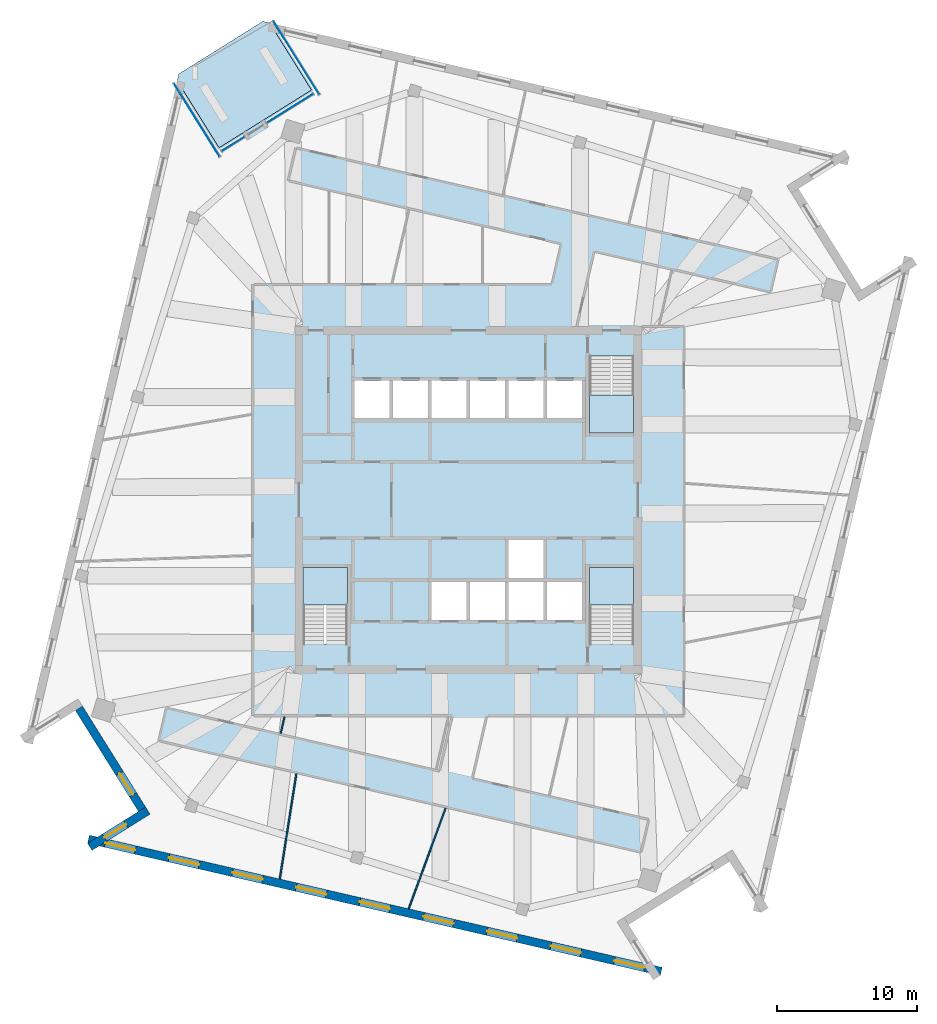
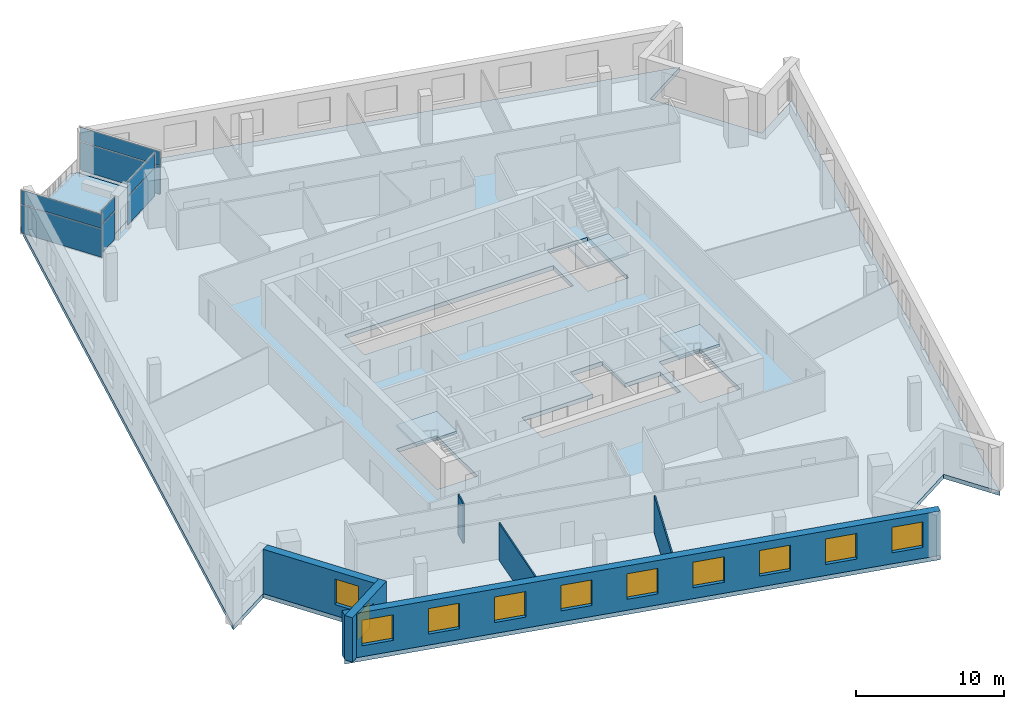
# One storey, part 5 of 14: 11 windows, 8 plates, 6 walls, 5 slabs, 11 openings, 7 elements without a shape of their own.
"""IFC4 building model written with IfcOpenShell, lengths in metres."""

from ifc_helpers import new_model, si_unit, direction, frame, frame_2d, origin, origin_2d, place, context, subcontext, project, spatial, polyline, rectangle, outline, extrude, material, layer, layer_set, type_object, element, fill, aggregate, save


model = new_model("IFC4")

# Units and contexts
model_context = context("Model", 3, precision=1e-05, world=origin(), true_north=direction((0.0, 1.0)))
body_context = subcontext(model_context, "Body", "Model", "MODEL_VIEW")
ifc_project = project(units=[si_unit("LENGTHUNIT", "METRE"), si_unit("AREAUNIT", "SQUARE_METRE"), si_unit("VOLUMEUNIT", "CUBIC_METRE"), si_unit("PLANEANGLEUNIT", "RADIAN"), si_unit("MASSUNIT", "GRAM", prefix="KILO")], contexts=[model_context])

# Site, building, storey
site_placement = place(None, origin())
site = spatial("IfcSite", under=ifc_project, at=site_placement, CompositionType="ELEMENT")
building_placement = place(site_placement, origin())
building = spatial("IfcBuilding", under=site, at=building_placement, Name="Dilmun Exchange Tower", CompositionType="ELEMENT")
storey_placement = place(building_placement, frame((0.0, 0.0, 336.5)))
storey = spatial("IfcBuildingStorey", under=building, at=storey_placement, Name="L80", CompositionType="ELEMENT", Elevation=336.5)

# Stair, slab
ifc_material_1 = material(Name="Concrete C40/50", Category="concrete")
stair_type = type_object("IfcStairType", Name="Exit stair 1500 half-turn", PredefinedType="HALF_TURN_STAIR", material=ifc_material_1)
stair_1_placement = place(storey_placement, origin())
stair_1 = element("IfcStair", 1, at=stair_1_placement, inside=storey, type_object=stair_type, Name="L80 Protected exit stair ST1", PredefinedType="HALF_TURN_STAIR")
ifc_layer_1 = layer(ifc_material_1, 0.199951171875)
ifc_layer_set_1 = layer_set([ifc_layer_1], Name="Concrete C40/50")
slab_type_1 = type_object("IfcSlabType", Name="Exit stair landing 200", PredefinedType="LANDING", material=ifc_layer_set_1)
slab_1_placement = place(storey_placement, frame((0.0, 0.0, 1.800048828125)))
slab_1 = element("IfcSlab", 2, at=slab_1_placement, type_object=slab_type_1, Name="ST1 landing 1", PredefinedType="LANDING", context=body_context, shape_type="SweptSolid", body=[
    extrude(outline(polyline([(8.64990234375, 7.5), (8.64990234375, 4.800048828125), (11.800048828125, 4.800048828125), (11.800048828125, 7.5), (8.64990234375, 7.5)])), origin(), (0.0, 0.0, 1.0), 0.199951171875),
])
aggregate(stair_1, [slab_1])

stair_2_placement = place(storey_placement, origin())
stair_2 = element("IfcStair", 3, at=stair_2_placement, inside=storey, type_object=stair_type, Name="L80 Protected exit stair ST2", PredefinedType="HALF_TURN_STAIR")
slab_2_placement = place(storey_placement, frame((0.0, 0.0, 1.800048828125)))
slab_2 = element("IfcSlab", 4, at=slab_2_placement, type_object=slab_type_1, Name="ST2 landing 1", PredefinedType="LANDING", context=body_context, shape_type="SweptSolid", body=[
    extrude(outline(polyline([(-8.64990234375, -7.5), (-8.64990234375, -4.800048828125), (-11.800048828125, -4.800048828125), (-11.800048828125, -7.5), (-8.64990234375, -7.5)])), origin(), (0.0, 0.0, 1.0), 0.199951171875),
])
aggregate(stair_2, [slab_2])

stair_3_placement = place(storey_placement, origin())
stair_3 = element("IfcStair", 5, at=stair_3_placement, inside=storey, type_object=stair_type, Name="L80 Protected exit stair ST3", PredefinedType="HALF_TURN_STAIR")
slab_3_placement = place(storey_placement, frame((0.0, 0.0, 1.800048828125)))
slab_3 = element("IfcSlab", 6, at=slab_3_placement, type_object=slab_type_1, Name="ST3 landing 1", PredefinedType="LANDING", context=body_context, shape_type="SweptSolid", body=[
    extrude(outline(polyline([(11.800048828125, -7.5), (11.800048828125, -4.800048828125), (8.64990234375, -4.800048828125), (8.64990234375, -7.5), (11.800048828125, -7.5)])), origin(), (0.0, 0.0, 1.0), 0.199951171875),
])
aggregate(stair_3, [slab_3])

# Curtain wall, plates
ifc_material_2 = material(Name="Anodised aluminium and clear glass", Category="aluminium")
curtain_wall_type = type_object("IfcCurtainWallType", Name="Garden corner glazing", PredefinedType="NOTDEFINED", material=ifc_material_2)
curtain_wall_1_placement = place(storey_placement, origin())
curtain_wall_1 = element("IfcCurtainWall", 7, at=curtain_wall_1_placement, inside=storey, type_object=curtain_wall_type, Name="Garden corner glazing run GC1.1", PredefinedType="NOTDEFINED")
ifc_material_3 = material(Name="Clear glass", Category="glass")
ifc_layer_2 = layer(ifc_material_3, 0.028076171875)
ifc_layer_set_2 = layer_set([ifc_layer_2], Name="Clear glass")
plate_type = type_object("IfcPlateType", Name="Garden corner glazing glass panel 28", PredefinedType="CURTAIN_PANEL", material=ifc_layer_set_2)
plate_1_placement = place(storey_placement, frame((-12.291015625, 31.577880859375, 0.06005859375), z_axis=(0.0, 0.0, 1.0), x_axis=(0.529916913426, -0.8480495651, 0.0)))
plate_1 = element("IfcPlate", 8, at=plate_1_placement, type_object=plate_type, Name="GC1.1 panel 1.1", PredefinedType="CURTAIN_PANEL", context=body_context, shape_type="SweptSolid", body=[
    extrude(rectangle(XDim=6.12646484375, YDim=0.028076171875, at=origin_2d()), origin(), (0.0, 0.0, 1.0), 2.31005859375),
])
plate_2_placement = place(storey_placement, frame((-12.291015625, 31.577880859375, 2.43017578125), z_axis=(0.0, 0.0, 1.0), x_axis=(0.529916913426, -0.8480495651, 0.0)))
plate_2 = element("IfcPlate", 9, at=plate_2_placement, type_object=plate_type, Name="GC1.1 panel 1.2", PredefinedType="CURTAIN_PANEL", context=body_context, shape_type="SweptSolid", body=[
    extrude(rectangle(XDim=6.12646484375, YDim=0.028076171875, at=origin_2d()), origin(), (0.0, 0.0, 1.0), 1.159912109375),
])
aggregate(curtain_wall_1, [plate_1, plate_2])

curtain_wall_2_placement = place(storey_placement, origin())
curtain_wall_2 = element("IfcCurtainWall", 10, at=curtain_wall_2_placement, inside=storey, type_object=curtain_wall_type, Name="Garden corner glazing run GC2.1", PredefinedType="NOTDEFINED")
plate_3_placement = place(storey_placement, frame((-12.74072265625, 27.9677734375, 0.06005859375), z_axis=(0.0, 0.0, 1.0), x_axis=(-0.848044776187, -0.529924577258, 0.0)))
plate_3 = element("IfcPlate", 11, at=plate_3_placement, type_object=plate_type, Name="GC2.1 panel 1.1", PredefinedType="CURTAIN_PANEL", context=body_context, shape_type="SweptSolid", body=[
    extrude(rectangle(XDim=3.869140625, YDim=0.028076171875, at=origin_2d()), origin(), (0.0, 0.0, 1.0), 2.31005859375),
])
plate_4_placement = place(storey_placement, frame((-12.74072265625, 27.9677734375, 2.43017578125), z_axis=(0.0, 0.0, 1.0), x_axis=(-0.848044776187, -0.529924577258, 0.0)))
plate_4 = element("IfcPlate", 12, at=plate_4_placement, type_object=plate_type, Name="GC2.1 panel 1.2", PredefinedType="CURTAIN_PANEL", context=body_context, shape_type="SweptSolid", body=[
    extrude(rectangle(XDim=3.869140625, YDim=0.028076171875, at=origin_2d()), origin(), (0.0, 0.0, 1.0), 1.159912109375),
])
aggregate(curtain_wall_2, [plate_3, plate_4])

curtain_wall_3_placement = place(storey_placement, origin())
curtain_wall_3 = element("IfcCurtainWall", 13, at=curtain_wall_3_placement, inside=storey, type_object=curtain_wall_type, Name="Garden corner glazing run GC2.3", PredefinedType="NOTDEFINED")
plate_5_placement = place(storey_placement, frame((-16.80224609375, 25.429931640625, 0.06005859375), z_axis=(0.0, 0.0, 1.0), x_axis=(-0.848068905763, -0.529885960447, 0.0)))
plate_5 = element("IfcPlate", 14, at=plate_5_placement, type_object=plate_type, Name="GC2.3 panel 1.1", PredefinedType="CURTAIN_PANEL", context=body_context, shape_type="SweptSolid", body=[
    extrude(rectangle(XDim=1.869140625, YDim=0.028076171875, at=origin_2d()), origin(), (0.0, 0.0, 1.0), 2.31005859375),
])
plate_6_placement = place(storey_placement, frame((-16.80224609375, 25.429931640625, 2.43017578125), z_axis=(0.0, 0.0, 1.0), x_axis=(-0.848068905763, -0.529885960447, 0.0)))
plate_6 = element("IfcPlate", 15, at=plate_6_placement, type_object=plate_type, Name="GC2.3 panel 1.2", PredefinedType="CURTAIN_PANEL", context=body_context, shape_type="SweptSolid", body=[
    extrude(rectangle(XDim=1.869140625, YDim=0.028076171875, at=origin_2d()), origin(), (0.0, 0.0, 1.0), 1.159912109375),
])
aggregate(curtain_wall_3, [plate_5, plate_6])

curtain_wall_4_placement = place(storey_placement, origin())
curtain_wall_4 = element("IfcCurtainWall", 16, at=curtain_wall_4_placement, inside=storey, type_object=curtain_wall_type, Name="Garden corner glazing run GC3.1", PredefinedType="NOTDEFINED")
plate_7_placement = place(storey_placement, frame((-19.39599609375, 27.13818359375, 0.06005859375), z_axis=(0.0, 0.0, 1.0), x_axis=(-0.529916913426, 0.8480495651, 0.0)))
plate_7 = element("IfcPlate", 17, at=plate_7_placement, type_object=plate_type, Name="GC3.1 panel 1.1", PredefinedType="CURTAIN_PANEL", context=body_context, shape_type="SweptSolid", body=[
    extrude(rectangle(XDim=6.12646484375, YDim=0.028076171875, at=origin_2d()), origin(), (0.0, 0.0, 1.0), 2.31005859375),
])
plate_8_placement = place(storey_placement, frame((-19.39599609375, 27.13818359375, 2.43017578125), z_axis=(0.0, 0.0, 1.0), x_axis=(-0.529916913426, 0.8480495651, 0.0)))
plate_8 = element("IfcPlate", 18, at=plate_8_placement, type_object=plate_type, Name="GC3.1 panel 1.2", PredefinedType="CURTAIN_PANEL", context=body_context, shape_type="SweptSolid", body=[
    extrude(rectangle(XDim=6.12646484375, YDim=0.028076171875, at=origin_2d()), origin(), (0.0, 0.0, 1.0), 1.159912109375),
])
aggregate(curtain_wall_4, [plate_7, plate_8])

# Slabs
ifc_layer_3 = layer(ifc_material_1, 0.35009765625)
ifc_layer_set_3 = layer_set([ifc_layer_3], Name="Concrete C40/50")
slab_type_2 = type_object("IfcSlabType", Name="RC floor slab 350", PredefinedType="FLOOR", material=ifc_layer_set_3)
slab_4_placement = place(storey_placement, frame((0.0, 0.0, -0.35009765625)))
element("IfcSlab", 19, at=slab_4_placement, inside=storey, type_object=slab_type_2, Name="Floor slab", PredefinedType="FLOOR", context=body_context, shape_type="SweptSolid", body=[
    extrude(outline(polyline([(23.56591796875, 22.238525390625), (28.070068359375, 15.030029296875), (31.70458984375, 17.301025390625), (20.91162109375, -29.448486328125), (18.640380859375, -25.814208984375), (11.43212890625, -30.318359375), (13.703125, -33.95263671875), (-27.2001953125, -24.509521484375), (-23.56591796875, -22.238525390625), (-28.070068359375, -15.030029296875), (-31.70458984375, -17.301025390625), (-20.796630859375, 29.94580078125), (-17.804443359375, 25.1572265625), (-11.208251953125, 29.279052734375), (-14.200439453125, 34.0673828125), (27.2001953125, 24.509521484375), (23.56591796875, 22.238525390625)]), holes=[polyline([(-8.64990234375, -4.800048828125), (-11.800048828125, -4.800048828125), (-11.800048828125, -10.294921875), (-8.64990234375, -10.294921875), (-8.64990234375, -4.800048828125)]), polyline([(11.800048828125, -4.800048828125), (8.64990234375, -4.800048828125), (8.64990234375, -10.294921875), (11.800048828125, -10.294921875), (11.800048828125, -4.800048828125)]), polyline([(2.875, -5.85009765625), (-2.625, -5.85009765625), (-2.625, -8.550048828125), (8.125, -8.550048828125), (8.125, -5.85009765625), (5.375, -5.85009765625), (5.375, -2.85009765625), (2.875, -2.85009765625), (2.875, -5.85009765625)]), polyline([(8.125, 5.85009765625), (8.125, 8.550048828125), (-8.125, 8.550048828125), (-8.125, 5.85009765625), (8.125, 5.85009765625)]), polyline([(8.64990234375, 10.294921875), (8.64990234375, 4.800048828125), (11.800048828125, 4.800048828125), (11.800048828125, 10.294921875), (8.64990234375, 10.294921875)])]), origin(), (0.0, 0.0, 1.0), 0.35009765625),
])
ifc_layer_4 = layer(ifc_material_1, 0.300048828125)
ifc_layer_set_4 = layer_set([ifc_layer_4], Name="Concrete C40/50")
slab_type_3 = type_object("IfcSlabType", Name="RC garden terrace slab 300", PredefinedType="FLOOR", material=ifc_layer_set_4)
slab_5_placement = place(storey_placement, frame((0.0, 0.0, -0.300048828125)))
element("IfcSlab", 20, at=slab_5_placement, inside=storey, type_object=slab_type_3, Name="Garden terrace slab", PredefinedType="FLOOR", context=body_context, shape_type="SweptSolid", body=[
    extrude(outline(polyline([(-17.804443359375, 25.1572265625), (-20.796630859375, 29.94580078125), (-20.68408203125, 30.432861328125), (-14.6875, 34.179931640625), (-14.200439453125, 34.0673828125), (-11.208251953125, 29.279052734375), (-17.804443359375, 25.1572265625)])), origin(), (0.0, 0.0, 1.0), 0.300048828125),
])

# Walls
ifc_material_4 = material(Name="Partition 100")
ifc_layer_5 = layer(ifc_material_4, 0.10009765625)
ifc_layer_set_5 = layer_set([ifc_layer_5], Name="Partition 100")
wall_type_1 = type_object("IfcWallType", Name="Partition 100", PredefinedType="PARTITIONING", material=ifc_layer_set_5)
wall_1_placement = place(storey_placement, frame((-13.47119140625, -27.061279296875, 0.0), z_axis=(0.0, 0.0, 1.0), x_axis=(0.155249458532, 0.987875298621, 0.0)))
element("IfcWall", 21, at=wall_1_placement, inside=storey, type_object=wall_type_1, Name="Partition", PredefinedType="PARTITIONING", context=body_context, shape_type="SweptSolid", body=[
    extrude(rectangle(XDim=7.61279296875, YDim=0.10009765625, at=frame_2d((3.806396484375, 0.0))), origin(), (0.0, 0.0, 1.0), 3.050048828125),
])
wall_2_placement = place(storey_placement, frame((-13.408203125, -16.661865234375, 0.0), z_axis=(0.0, 0.0, 1.0), x_axis=(0.22478562249, 0.974408242946, 0.0)))
element("IfcWall", 22, at=wall_2_placement, inside=storey, type_object=wall_type_1, Name="Partition", PredefinedType="PARTITIONING", context=body_context, shape_type="SweptSolid", body=[
    extrude(rectangle(XDim=1.20654296875, YDim=0.10009765625, at=frame_2d((0.603271484375, 0.0))), origin(), (0.0, 0.0, 1.0), 3.25),
])
wall_3_placement = place(storey_placement, frame((-4.267822265625, -29.18603515625, 0.0), z_axis=(0.0, 0.0, 1.0), x_axis=(0.345023473148, 0.938594056543, 0.0)))
element("IfcWall", 23, at=wall_3_placement, inside=storey, type_object=wall_type_1, Name="Partition", PredefinedType="PARTITIONING", context=body_context, shape_type="SweptSolid", body=[
    extrude(rectangle(XDim=7.64990234375, YDim=0.10009765625, at=frame_2d((3.824951171875, 0.0))), origin(), (0.0, 0.0, 1.0), 3.050048828125),
])

# Wall, opening, window
ifc_material_5 = material(Name="Precast concrete C50/60", Category="concrete")
ifc_layer_6 = layer(ifc_material_5, 0.60009765625)
ifc_layer_set_6 = layer_set([ifc_layer_6], Name="Precast concrete C50/60")
wall_type_2 = type_object("IfcWallType", Name="Precast stone-clad wall 600", PredefinedType="STANDARD", material=ifc_layer_set_6)
wall_4_placement = place(storey_placement, frame((-27.815673828125, -14.87109375, 0.0), z_axis=(0.0, 0.0, 1.0), x_axis=(0.529921485123, -0.848046708387, 0.0)))
wall_4 = element("IfcWall", 24, at=wall_4_placement, inside=storey, type_object=wall_type_2, Name="Facade wall L80-05", PredefinedType="STANDARD", context=body_context, shape_type="SweptSolid", body=[
    extrude(rectangle(XDim=8.5, YDim=0.60009765625, at=frame_2d((4.25, 0.0))), origin(), (0.0, 0.0, 1.0), 3.64990234375),
])
opening_1_placement = place(wall_4_placement, frame((5.47509765625, 0.0, 0.89990234375)))
opening_1 = element("IfcOpeningElement", 25, at=opening_1_placement, cuts=wall_4, Name="Opening W180-210", PredefinedType="OPENING", context=body_context, shape_type="SweptSolid", body=[
    extrude(rectangle(XDim=1.800048828125, YDim=2.10009765625, at=frame_2d((0.89990234375, 1.050048828125))), frame((0.0, 0.31005859375, 0.0), z_axis=(0.0, -1.0, 0.0), x_axis=(1.0, 0.0, 0.0)), (0.0, 0.0, 1.0), 0.6201171875),
])
ifc_material_6 = material(Name="Clear low-emissivity glass in aluminium frame", Category="aluminium")
window_type_1 = type_object("IfcWindowType", Name="Punched window 1800 x 2100", PartitioningType="DOUBLE_PANEL_VERTICAL", PredefinedType="WINDOW", material=ifc_material_6)
window_1_placement = place(opening_1_placement, origin())
window_1 = element("IfcWindow", 26, at=window_1_placement, inside=storey, type_object=window_type_1, Name="Window 6.2", OverallHeight=2.10009765625, OverallWidth=1.800048828125, PartitioningType="SINGLE_PANEL", PredefinedType="WINDOW", context=body_context, shape_type="SweptSolid", body=[
    extrude(rectangle(XDim=1.800048828125, YDim=2.10009765625, at=frame_2d((0.89990234375, 1.050048828125))), frame((0.0, 0.030029296875, 0.0), z_axis=(0.0, -1.0, 0.0), x_axis=(1.0, 0.0, 0.0)), (0.0, 0.0, 1.0), 0.06005859375),
])
fill(opening_1, window_1)

wall_5_placement = place(storey_placement, frame((-22.89794921875, -22.1748046875, 0.0), z_axis=(0.0, 0.0, 1.0), x_axis=(-0.848040410856, -0.529931563086, 0.0)))
wall_5 = element("IfcWall", 27, at=wall_5_placement, inside=storey, type_object=wall_type_2, Name="Facade wall L80-06", PredefinedType="STANDARD", context=body_context, shape_type="SweptSolid", body=[
    extrude(rectangle(XDim=4.8857421875, YDim=0.60009765625, at=frame_2d((2.44287109375, 0.0))), origin(), (0.0, 0.0, 1.0), 3.64990234375),
])
opening_2_placement = place(wall_5_placement, frame((1.8427734375, 0.0, 0.89990234375)))
opening_2 = element("IfcOpeningElement", 28, at=opening_2_placement, cuts=wall_5, Name="Opening W180-210", PredefinedType="OPENING", context=body_context, shape_type="SweptSolid", body=[
    extrude(rectangle(XDim=1.800048828125, YDim=2.10009765625, at=frame_2d((0.89990234375, 1.050048828125))), frame((0.0, 0.31005859375, 0.0), z_axis=(0.0, -1.0, 0.0), x_axis=(1.0, 0.0, 0.0)), (0.0, 0.0, 1.0), 0.6201171875),
])
window_2_placement = place(opening_2_placement, origin())
window_2 = element("IfcWindow", 29, at=window_2_placement, inside=storey, type_object=window_type_1, Name="Window 7.1", OverallHeight=2.10009765625, OverallWidth=1.800048828125, PartitioningType="SINGLE_PANEL", PredefinedType="WINDOW", context=body_context, shape_type="SweptSolid", body=[
    extrude(rectangle(XDim=1.800048828125, YDim=2.10009765625, at=frame_2d((0.89990234375, 1.050048828125))), frame((0.0, 0.030029296875, 0.0), z_axis=(0.0, -1.0, 0.0), x_axis=(1.0, 0.0, 0.0)), (0.0, 0.0, 1.0), 0.06005859375),
])
fill(opening_2, window_2)

# Wall, openings, windows
wall_6_placement = place(storey_placement, frame((-27.1328125, -24.21728515625, 0.0), z_axis=(0.0, 0.0, 1.0), x_axis=(0.974370901945, -0.224947428174, 0.0)))
wall_6 = element("IfcWall", 30, at=wall_6_placement, inside=storey, type_object=wall_type_2, Name="Facade wall L80-07", PredefinedType="STANDARD", context=body_context, shape_type="SweptSolid", body=[
    extrude(rectangle(XDim=41.979248046875, YDim=0.60009765625, at=frame_2d((20.98974609375, 0.0))), origin(), (0.0, 0.0, 1.0), 3.64990234375),
])
opening_3_placement = place(wall_6_placement, frame((1.232177734375, 0.0, 0.89990234375)))
opening_3 = element("IfcOpeningElement", 31, at=opening_3_placement, cuts=wall_6, Name="Opening W220-210", PredefinedType="OPENING", context=body_context, shape_type="SweptSolid", body=[
    extrude(rectangle(XDim=2.199951171875, YDim=2.10009765625, at=frame_2d((1.10009765625, 1.050048828125))), frame((0.0, 0.31005859375, 0.0), z_axis=(0.0, -1.0, 0.0), x_axis=(1.0, 0.0, 0.0)), (0.0, 0.0, 1.0), 0.6201171875),
])
opening_4_placement = place(wall_6_placement, frame((5.896484375, 0.0, 0.89990234375)))
opening_4 = element("IfcOpeningElement", 32, at=opening_4_placement, cuts=wall_6, Name="Opening W220-210", PredefinedType="OPENING", context=body_context, shape_type="SweptSolid", body=[
    extrude(rectangle(XDim=2.199951171875, YDim=2.10009765625, at=frame_2d((1.10009765625, 1.050048828125))), frame((0.0, 0.31005859375, 0.0), z_axis=(0.0, -1.0, 0.0), x_axis=(1.0, 0.0, 0.0)), (0.0, 0.0, 1.0), 0.6201171875),
])
opening_5_placement = place(wall_6_placement, frame((10.560791015625, 0.0, 0.89990234375)))
opening_5 = element("IfcOpeningElement", 33, at=opening_5_placement, cuts=wall_6, Name="Opening W220-210", PredefinedType="OPENING", context=body_context, shape_type="SweptSolid", body=[
    extrude(rectangle(XDim=2.199951171875, YDim=2.10009765625, at=frame_2d((1.10009765625, 1.050048828125))), frame((0.0, 0.31005859375, 0.0), z_axis=(0.0, -1.0, 0.0), x_axis=(1.0, 0.0, 0.0)), (0.0, 0.0, 1.0), 0.6201171875),
])
opening_6_placement = place(wall_6_placement, frame((15.22509765625, 0.0, 0.89990234375)))
opening_6 = element("IfcOpeningElement", 34, at=opening_6_placement, cuts=wall_6, Name="Opening W220-210", PredefinedType="OPENING", context=body_context, shape_type="SweptSolid", body=[
    extrude(rectangle(XDim=2.199951171875, YDim=2.10009765625, at=frame_2d((1.10009765625, 1.050048828125))), frame((0.0, 0.31005859375, 0.0), z_axis=(0.0, -1.0, 0.0), x_axis=(1.0, 0.0, 0.0)), (0.0, 0.0, 1.0), 0.6201171875),
])
opening_7_placement = place(wall_6_placement, frame((19.8896484375, 0.0, 0.89990234375)))
opening_7 = element("IfcOpeningElement", 35, at=opening_7_placement, cuts=wall_6, Name="Opening W220-210", PredefinedType="OPENING", context=body_context, shape_type="SweptSolid", body=[
    extrude(rectangle(XDim=2.199951171875, YDim=2.10009765625, at=frame_2d((1.10009765625, 1.050048828125))), frame((0.0, 0.31005859375, 0.0), z_axis=(0.0, -1.0, 0.0), x_axis=(1.0, 0.0, 0.0)), (0.0, 0.0, 1.0), 0.6201171875),
])
opening_8_placement = place(wall_6_placement, frame((24.553955078125, 0.0, 0.89990234375)))
opening_8 = element("IfcOpeningElement", 36, at=opening_8_placement, cuts=wall_6, Name="Opening W220-210", PredefinedType="OPENING", context=body_context, shape_type="SweptSolid", body=[
    extrude(rectangle(XDim=2.199951171875, YDim=2.10009765625, at=frame_2d((1.10009765625, 1.050048828125))), frame((0.0, 0.31005859375, 0.0), z_axis=(0.0, -1.0, 0.0), x_axis=(1.0, 0.0, 0.0)), (0.0, 0.0, 1.0), 0.6201171875),
])
opening_9_placement = place(wall_6_placement, frame((29.21826171875, 0.0, 0.89990234375)))
opening_9 = element("IfcOpeningElement", 37, at=opening_9_placement, cuts=wall_6, Name="Opening W220-210", PredefinedType="OPENING", context=body_context, shape_type="SweptSolid", body=[
    extrude(rectangle(XDim=2.199951171875, YDim=2.10009765625, at=frame_2d((1.10009765625, 1.050048828125))), frame((0.0, 0.31005859375, 0.0), z_axis=(0.0, -1.0, 0.0), x_axis=(1.0, 0.0, 0.0)), (0.0, 0.0, 1.0), 0.6201171875),
])
opening_10_placement = place(wall_6_placement, frame((33.8828125, 0.0, 0.89990234375)))
opening_10 = element("IfcOpeningElement", 38, at=opening_10_placement, cuts=wall_6, Name="Opening W220-210", PredefinedType="OPENING", context=body_context, shape_type="SweptSolid", body=[
    extrude(rectangle(XDim=2.199951171875, YDim=2.10009765625, at=frame_2d((1.10009765625, 1.050048828125))), frame((0.0, 0.31005859375, 0.0), z_axis=(0.0, -1.0, 0.0), x_axis=(1.0, 0.0, 0.0)), (0.0, 0.0, 1.0), 0.6201171875),
])
opening_11_placement = place(wall_6_placement, frame((38.547119140625, 0.0, 0.89990234375)))
opening_11 = element("IfcOpeningElement", 39, at=opening_11_placement, cuts=wall_6, Name="Opening W220-210", PredefinedType="OPENING", context=body_context, shape_type="SweptSolid", body=[
    extrude(rectangle(XDim=2.199951171875, YDim=2.10009765625, at=frame_2d((1.10009765625, 1.050048828125))), frame((0.0, 0.31005859375, 0.0), z_axis=(0.0, -1.0, 0.0), x_axis=(1.0, 0.0, 0.0)), (0.0, 0.0, 1.0), 0.6201171875),
])
window_type_2 = type_object("IfcWindowType", Name="Punched window 2200 x 2100", PartitioningType="DOUBLE_PANEL_VERTICAL", PredefinedType="WINDOW", material=ifc_material_6)
window_3_placement = place(opening_3_placement, origin())
window_3 = element("IfcWindow", 40, at=window_3_placement, inside=storey, type_object=window_type_2, Name="Window 8.1", OverallHeight=2.10009765625, OverallWidth=2.199951171875, PartitioningType="SINGLE_PANEL", PredefinedType="WINDOW", context=body_context, shape_type="SweptSolid", body=[
    extrude(rectangle(XDim=2.199951171875, YDim=2.10009765625, at=frame_2d((1.10009765625, 1.050048828125))), frame((0.0, 0.030029296875, 0.0), z_axis=(0.0, -1.0, 0.0), x_axis=(1.0, 0.0, 0.0)), (0.0, 0.0, 1.0), 0.06005859375),
])
fill(opening_3, window_3)
window_4_placement = place(opening_4_placement, origin())
window_4 = element("IfcWindow", 41, at=window_4_placement, inside=storey, type_object=window_type_2, Name="Window 8.2", OverallHeight=2.10009765625, OverallWidth=2.199951171875, PartitioningType="SINGLE_PANEL", PredefinedType="WINDOW", context=body_context, shape_type="SweptSolid", body=[
    extrude(rectangle(XDim=2.199951171875, YDim=2.10009765625, at=frame_2d((1.10009765625, 1.050048828125))), frame((0.0, 0.030029296875, 0.0), z_axis=(0.0, -1.0, 0.0), x_axis=(1.0, 0.0, 0.0)), (0.0, 0.0, 1.0), 0.06005859375),
])
fill(opening_4, window_4)
window_5_placement = place(opening_5_placement, origin())
window_5 = element("IfcWindow", 42, at=window_5_placement, inside=storey, type_object=window_type_2, Name="Window 8.3", OverallHeight=2.10009765625, OverallWidth=2.199951171875, PartitioningType="SINGLE_PANEL", PredefinedType="WINDOW", context=body_context, shape_type="SweptSolid", body=[
    extrude(rectangle(XDim=2.199951171875, YDim=2.10009765625, at=frame_2d((1.10009765625, 1.050048828125))), frame((0.0, 0.030029296875, 0.0), z_axis=(0.0, -1.0, 0.0), x_axis=(1.0, 0.0, 0.0)), (0.0, 0.0, 1.0), 0.06005859375),
])
fill(opening_5, window_5)
window_6_placement = place(opening_6_placement, origin())
window_6 = element("IfcWindow", 43, at=window_6_placement, inside=storey, type_object=window_type_2, Name="Window 8.4", OverallHeight=2.10009765625, OverallWidth=2.199951171875, PartitioningType="SINGLE_PANEL", PredefinedType="WINDOW", context=body_context, shape_type="SweptSolid", body=[
    extrude(rectangle(XDim=2.199951171875, YDim=2.10009765625, at=frame_2d((1.10009765625, 1.050048828125))), frame((0.0, 0.030029296875, 0.0), z_axis=(0.0, -1.0, 0.0), x_axis=(1.0, 0.0, 0.0)), (0.0, 0.0, 1.0), 0.06005859375),
])
fill(opening_6, window_6)
window_7_placement = place(opening_7_placement, origin())
window_7 = element("IfcWindow", 44, at=window_7_placement, inside=storey, type_object=window_type_2, Name="Window 8.5", OverallHeight=2.10009765625, OverallWidth=2.199951171875, PartitioningType="SINGLE_PANEL", PredefinedType="WINDOW", context=body_context, shape_type="SweptSolid", body=[
    extrude(rectangle(XDim=2.199951171875, YDim=2.10009765625, at=frame_2d((1.10009765625, 1.050048828125))), frame((0.0, 0.030029296875, 0.0), z_axis=(0.0, -1.0, 0.0), x_axis=(1.0, 0.0, 0.0)), (0.0, 0.0, 1.0), 0.06005859375),
])
fill(opening_7, window_7)
window_8_placement = place(opening_8_placement, origin())
window_8 = element("IfcWindow", 45, at=window_8_placement, inside=storey, type_object=window_type_2, Name="Window 8.6", OverallHeight=2.10009765625, OverallWidth=2.199951171875, PartitioningType="SINGLE_PANEL", PredefinedType="WINDOW", context=body_context, shape_type="SweptSolid", body=[
    extrude(rectangle(XDim=2.199951171875, YDim=2.10009765625, at=frame_2d((1.10009765625, 1.050048828125))), frame((0.0, 0.030029296875, 0.0), z_axis=(0.0, -1.0, 0.0), x_axis=(1.0, 0.0, 0.0)), (0.0, 0.0, 1.0), 0.06005859375),
])
fill(opening_8, window_8)
window_9_placement = place(opening_9_placement, origin())
window_9 = element("IfcWindow", 46, at=window_9_placement, inside=storey, type_object=window_type_2, Name="Window 8.7", OverallHeight=2.10009765625, OverallWidth=2.199951171875, PartitioningType="SINGLE_PANEL", PredefinedType="WINDOW", context=body_context, shape_type="SweptSolid", body=[
    extrude(rectangle(XDim=2.199951171875, YDim=2.10009765625, at=frame_2d((1.10009765625, 1.050048828125))), frame((0.0, 0.030029296875, 0.0), z_axis=(0.0, -1.0, 0.0), x_axis=(1.0, 0.0, 0.0)), (0.0, 0.0, 1.0), 0.06005859375),
])
fill(opening_9, window_9)
window_10_placement = place(opening_10_placement, origin())
window_10 = element("IfcWindow", 47, at=window_10_placement, inside=storey, type_object=window_type_2, Name="Window 8.8", OverallHeight=2.10009765625, OverallWidth=2.199951171875, PartitioningType="SINGLE_PANEL", PredefinedType="WINDOW", context=body_context, shape_type="SweptSolid", body=[
    extrude(rectangle(XDim=2.199951171875, YDim=2.10009765625, at=frame_2d((1.10009765625, 1.050048828125))), frame((0.0, 0.030029296875, 0.0), z_axis=(0.0, -1.0, 0.0), x_axis=(1.0, 0.0, 0.0)), (0.0, 0.0, 1.0), 0.06005859375),
])
fill(opening_10, window_10)
window_11_placement = place(opening_11_placement, origin())
window_11 = element("IfcWindow", 48, at=window_11_placement, inside=storey, type_object=window_type_2, Name="Window 8.9", OverallHeight=2.10009765625, OverallWidth=2.199951171875, PartitioningType="SINGLE_PANEL", PredefinedType="WINDOW", context=body_context, shape_type="SweptSolid", body=[
    extrude(rectangle(XDim=2.199951171875, YDim=2.10009765625, at=frame_2d((1.10009765625, 1.050048828125))), frame((0.0, 0.030029296875, 0.0), z_axis=(0.0, -1.0, 0.0), x_axis=(1.0, 0.0, 0.0)), (0.0, 0.0, 1.0), 0.06005859375),
])
fill(opening_11, window_11)

save(model, "model.ifc")
